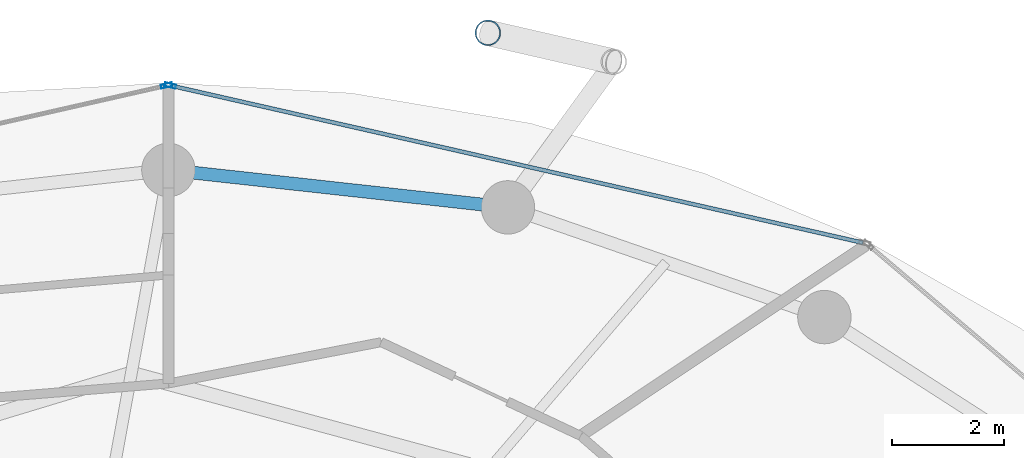
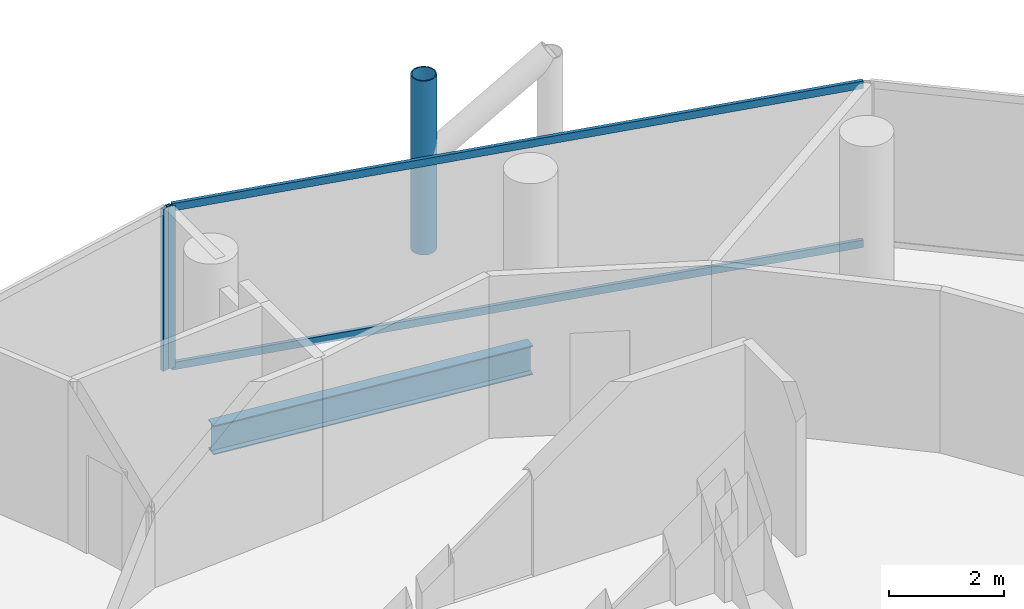
# One storey, part 17 of 26: 5 members, 1 beam, 2 elements without a shape of their own.
"""IFC4 building model written with IfcOpenShell, lengths in metres."""

from ifc_helpers import new_model, si_unit, direction, frame, origin, origin_2d, place, context, subcontext, project, spatial, hollow_rectangle, hollow_circle, i_section, extrude, material, layer, layer_set, material_profile, profile_set, type_object, element, aggregate, save


model = new_model("IFC4")

# Units and contexts
model_context = context("Model", 3, precision=1e-05, world=origin(), true_north=direction((0.0, 1.0)))
body_context = subcontext(model_context, "Body", "Model", "MODEL_VIEW")
ifc_project = project(units=[si_unit("LENGTHUNIT", "METRE"), si_unit("AREAUNIT", "SQUARE_METRE"), si_unit("VOLUMEUNIT", "CUBIC_METRE"), si_unit("PLANEANGLEUNIT", "RADIAN"), si_unit("MASSUNIT", "GRAM", prefix="KILO")], contexts=[model_context])

# Site, building, storey
site_placement = place(None, origin())
site = spatial("IfcSite", under=ifc_project, at=site_placement, CompositionType="ELEMENT")
building_placement = place(site_placement, origin())
building = spatial("IfcBuilding", under=site, at=building_placement, Name="Nuhasar Tower", CompositionType="ELEMENT")
storey_placement = place(building_placement, frame((0.0, 0.0, 136.75)))
storey = spatial("IfcBuildingStorey", under=building, at=storey_placement, Name="L32", CompositionType="ELEMENT", Elevation=136.75)

# Beam
ifc_material_1 = material(Name="Steel S355", Category="steel")
ifc_material_profile_1 = material_profile(ifc_material_1, i_section(OverallWidth=0.22998046875, OverallDepth=0.616943359375, WebThickness=0.01318359375, FlangeThickness=0.022216796875, at=origin_2d()), Name="W24X94")
ifc_profile_set_1 = profile_set([ifc_material_profile_1], Name="Steel S355")
beam_type = type_object("IfcBeamType", Name="BM-RING-W24X94", PredefinedType="SPANDREL", material=ifc_profile_set_1)
beam_placement = place(storey_placement, frame((45.04296875, 45.68408203125, -0.55908203125), z_axis=(-0.993981289157, 0.109549974015, 0.0), x_axis=(-0.109549974015, -0.993981289157, 0.0)))
element("IfcBeam", 1, at=beam_placement, inside=storey, type_object=beam_type, Name="L32 Perimeter Ring Spandrel 06", PredefinedType="SPANDREL", context=body_context, shape_type="SweptSolid", body=[
    extrude(i_section(OverallWidth=0.22998046875, OverallDepth=0.616943359375, WebThickness=0.01318359375, FlangeThickness=0.022216796875, at=origin_2d()), origin(), (0.0, 0.0, 1.0), 6.07958984375),
])

# Curtain wall, member
ifc_material_2 = material(Name="Aluminium 6063-T6", Category="aluminium")
ifc_layer = layer(ifc_material_2, 0.199951171875)
ifc_layer_set = layer_set([ifc_layer], Name="Aluminium 6063-T6")
curtain_wall_type = type_object("IfcCurtainWallType", Name="CW-Z2-HTL", PredefinedType="NOTDEFINED", material=ifc_layer_set)
curtain_wall_1_placement = place(storey_placement, origin())
curtain_wall_1 = element("IfcCurtainWall", 2, at=curtain_wall_1_placement, inside=storey, type_object=curtain_wall_type, Name="L32 Unitised Curtain Wall 03", PredefinedType="NOTDEFINED")
ifc_material_profile_2 = material_profile(ifc_material_2, hollow_rectangle(XDim=0.070068359375, YDim=0.199951171875, WallThickness=0.0048828125, at=origin_2d()), Name="CWM-3")
ifc_profile_set_2 = profile_set([ifc_material_profile_2], Name="Aluminium 6063-T6")
member_type_1 = type_object("IfcMemberType", Name="CW-MUL-S3", PredefinedType="MULLION", material=ifc_profile_set_2)
member_1_placement = place(storey_placement, frame((39.0341796875, 47.852294921875, 0.0), z_axis=(0.0, 0.0, 1.0), x_axis=(-0.22139729566, -0.975183694221, 0.0)))
member_1 = element("IfcMember", 3, at=member_1_placement, type_object=member_type_1, Name="CW-Z2 mullion 2", PredefinedType="MULLION", context=body_context, shape_type="SweptSolid", body=[
    extrude(hollow_rectangle(XDim=0.070068359375, YDim=0.199951171875, WallThickness=0.0048828125, at=origin_2d()), origin(), (0.0, 0.0, 1.0), 3.449951171875),
])

curtain_wall_2_placement = place(storey_placement, origin())
curtain_wall_2 = element("IfcCurtainWall", 4, at=curtain_wall_2_placement, inside=storey, type_object=curtain_wall_type, Name="L32 Unitised Curtain Wall 04", PredefinedType="NOTDEFINED")
member_2_placement = place(storey_placement, frame((38.9658203125, 47.852294921875, 0.0), z_axis=(0.0, 0.0, 1.0), x_axis=(0.22139729566, -0.975183694221, 0.0)))
member_2 = element("IfcMember", 5, at=member_2_placement, type_object=member_type_1, Name="CW-Z2 mullion 1", PredefinedType="MULLION", context=body_context, shape_type="SweptSolid", body=[
    extrude(hollow_rectangle(XDim=0.070068359375, YDim=0.199951171875, WallThickness=0.0048828125, at=origin_2d()), origin(), (0.0, 0.0, 1.0), 3.449951171875),
])
aggregate(curtain_wall_2, [member_2])

# Member
ifc_material_profile_3 = material_profile(ifc_material_2, hollow_rectangle(XDim=0.070068359375, YDim=0.159912109375, WallThickness=0.00439453125, at=origin_2d()), Name="CWT-3")
ifc_profile_set_3 = profile_set([ifc_material_profile_3], Name="Aluminium 6063-T6")
member_type_2 = type_object("IfcMemberType", Name="CW-TRN-S3", PredefinedType="USERDEFINED", material=ifc_profile_set_3)
member_3_placement = place(storey_placement, frame((51.36181640625, 45.053466796875, 0.034912109375), z_axis=(-0.975183434528, 0.221398439519, 0.0), x_axis=(-0.221398439519, -0.975183434528, 0.0)))
member_3 = element("IfcMember", 6, at=member_3_placement, type_object=member_type_2, Name="CW-Z2 transom 1.1", ObjectType="TRANSOM", PredefinedType="USERDEFINED", context=body_context, shape_type="SweptSolid", body=[
    extrude(hollow_rectangle(XDim=0.070068359375, YDim=0.159912109375, WallThickness=0.00439453125, at=origin_2d()), origin(), (0.0, 0.0, 1.0), 12.606201171875),
])

member_4_placement = place(storey_placement, frame((51.36181640625, 45.053466796875, 3.4150390625), z_axis=(-0.975183434528, 0.221398439519, 0.0), x_axis=(-0.221398439519, -0.975183434528, 0.0)))
member_4 = element("IfcMember", 7, at=member_4_placement, type_object=member_type_2, Name="CW-Z2 transom 1.2", ObjectType="TRANSOM", PredefinedType="USERDEFINED", context=body_context, shape_type="SweptSolid", body=[
    extrude(hollow_rectangle(XDim=0.070068359375, YDim=0.159912109375, WallThickness=0.00439453125, at=origin_2d()), origin(), (0.0, 0.0, 1.0), 12.606201171875),
])

aggregate(curtain_wall_1, [member_1, member_3, member_4])

ifc_material_3 = material(Name="Steel S460", Category="steel")
ifc_material_profile_4 = material_profile(ifc_material_3, hollow_circle(Radius=0.228515625, WallThickness=0.022216796875, at=origin_2d()), Name="HSS457X22.2")
ifc_profile_set_4 = profile_set([ifc_material_profile_4], Name="Steel S460")
member_type_3 = type_object("IfcMemberType", Name="EXO-BRONZE-457", PredefinedType="BRACE", material=ifc_profile_set_4)
member_5_placement = place(storey_placement, frame((44.68603515625, 48.7900390625, 0.0), z_axis=(0.0, 0.0, 1.0), x_axis=(1.0, 0.0, 0.0)))
element("IfcMember", 8, at=member_5_placement, inside=storey, type_object=member_type_3, Name="L32 Exoskeleton Chord Column EC-03B", PredefinedType="BRACE", context=body_context, shape_type="SweptSolid", body=[
    extrude(hollow_circle(Radius=0.228515625, WallThickness=0.022216796875, at=origin_2d()), origin(), (0.0, 0.0, 1.0), 3.699951171875),
])

save(model, "model.ifc")
